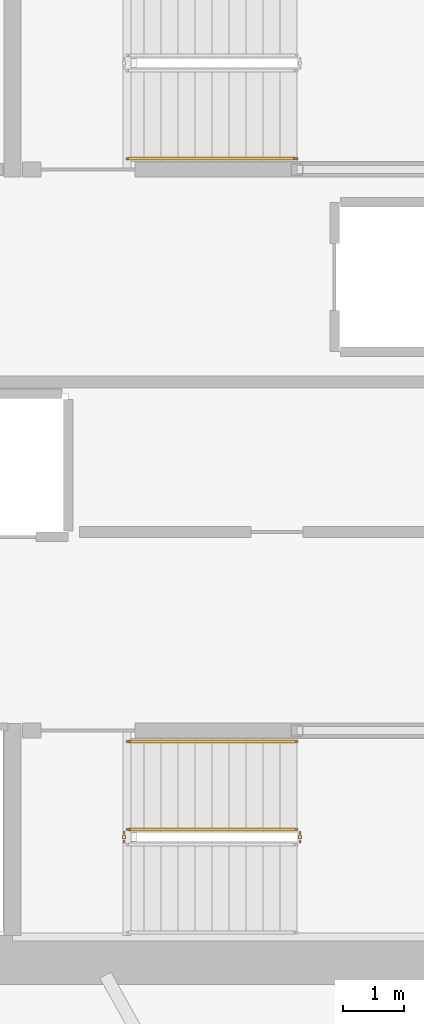
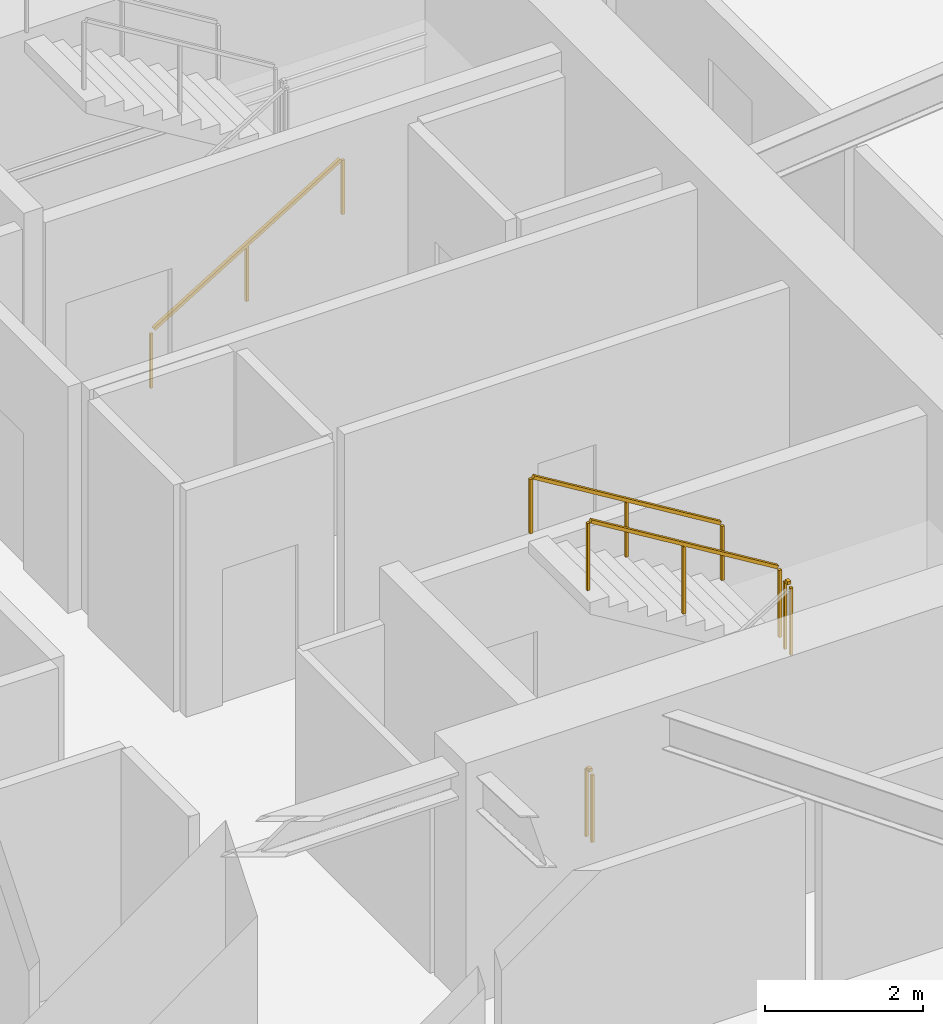
# One storey, part 19 of 22: 5 railings.
"""IFC4 building model written with IfcOpenShell, lengths in metres."""

from ifc_helpers import new_model, si_unit, direction, frame, origin, origin_2d, place, context, subcontext, project, spatial, rectangle, extrude, material, type_object, element, save


model = new_model("IFC4")

# Units and contexts
model_context = context("Model", 3, precision=1e-05, world=origin(), true_north=direction((0.0, 1.0)))
body_context = subcontext(model_context, "Body", "Model", "MODEL_VIEW")
ifc_project = project(units=[si_unit("LENGTHUNIT", "METRE"), si_unit("AREAUNIT", "SQUARE_METRE"), si_unit("VOLUMEUNIT", "CUBIC_METRE"), si_unit("PLANEANGLEUNIT", "RADIAN"), si_unit("MASSUNIT", "GRAM", prefix="KILO")], contexts=[model_context])

# Site, building, storey
site_placement = place(None, origin())
site = spatial("IfcSite", under=ifc_project, at=site_placement, CompositionType="ELEMENT")
building_placement = place(site_placement, origin())
building = spatial("IfcBuilding", under=site, at=building_placement, Name="Kazma Halo Residences", CompositionType="ELEMENT")
storey_placement = place(building_placement, frame((0.0, 0.0, 93.89990234375)))
storey = spatial("IfcBuildingStorey", under=building, at=storey_placement, Name="L23", CompositionType="ELEMENT", Elevation=93.89990234375)

# Railings
ifc_material_1 = material(Name="Painted Steel S355", Category="steel")
railing_type_1 = type_object("IfcRailingType", Name="RLG-STAIR-GRD-1100", PredefinedType="GUARDRAIL", material=ifc_material_1)
railing_1_placement = place(storey_placement, frame((56.050048828125, 35.550048828125, 1.875)))
element("IfcRailing", 1, at=railing_1_placement, inside=storey, type_object=railing_type_1, Name="L23 ST-03 stair guard 2", PredefinedType="GUARDRAIL", context=body_context, shape_type="SweptSolid", body=[
    extrude(rectangle(XDim=0.050048828125, YDim=0.050048828125, at=origin_2d()), frame((0.0, 0.04248046875, 1.0751953125), z_axis=(0.0, 1.0, 0.0), x_axis=(-1.0, 0.0, 0.0)), (0.0, 0.0, 1.0), 0.06494140625),
    extrude(rectangle(XDim=0.0400390625, YDim=0.0400390625, at=origin_2d()), origin(), (0.0, 0.0, 1.0), 1.0380859375),
    extrude(rectangle(XDim=0.0400390625, YDim=0.0400390625, at=origin_2d()), frame((0.0, 0.14990234375, 0.0)), (0.0, 0.0, 1.0), 1.0380859375),
])
railing_2_placement = place(storey_placement, frame((56.0, 35.75, 2.045654296875)))
element("IfcRailing", 2, at=railing_2_placement, inside=storey, type_object=railing_type_1, Name="L23 ST-03 stair guard 3", PredefinedType="GUARDRAIL", context=body_context, shape_type="SweptSolid", body=[
    extrude(rectangle(XDim=0.050048828125, YDim=0.050048828125, at=origin_2d()), frame((-0.036376953125, 0.0, 1.09716796875), z_axis=(-0.854202870247, 0.0, 0.519939858505), x_axis=(0.0, -1.0, 0.0)), (0.0, 0.0, 1.0), 3.19287109375),
    extrude(rectangle(XDim=0.0400390625, YDim=0.0400390625, at=origin_2d()), origin(), (0.0, 0.0, 1.0), 1.0380859375),
    extrude(rectangle(XDim=0.0400390625, YDim=0.0400390625, at=origin_2d()), frame((-1.39990234375, 0.0, 0.85205078125)), (0.0, 0.0, 1.0), 1.0380859375),
    extrude(rectangle(XDim=0.0400390625, YDim=0.0400390625, at=origin_2d()), frame((-2.800048828125, 0.0, 1.704345703125)), (0.0, 0.0, 1.0), 1.0380859375),
])
railing_3_placement = place(storey_placement, frame((53.14990234375, 35.550048828125, 0.0)))
element("IfcRailing", 3, at=railing_3_placement, inside=storey, type_object=railing_type_1, Name="L23 ST-03 stair guard 4", PredefinedType="GUARDRAIL", context=body_context, shape_type="SweptSolid", body=[
    extrude(rectangle(XDim=0.050048828125, YDim=0.050048828125, at=origin_2d()), frame((0.0, 0.04248046875, 1.0751953125), z_axis=(0.0, 1.0, 0.0), x_axis=(-1.0, 0.0, 0.0)), (0.0, 0.0, 1.0), 0.06494140625),
    extrude(rectangle(XDim=0.0400390625, YDim=0.0400390625, at=origin_2d()), origin(), (0.0, 0.0, 1.0), 1.0380859375),
    extrude(rectangle(XDim=0.0400390625, YDim=0.0400390625, at=origin_2d()), frame((0.0, 0.14990234375, 0.0)), (0.0, 0.0, 1.0), 1.0380859375),
])
ifc_material_2 = material(Name="Brushed Stainless Steel", Category="steel")
railing_type_2 = type_object("IfcRailingType", Name="RLG-STAIR-HND-900", PredefinedType="HANDRAIL", material=ifc_material_2)
railing_4_placement = place(storey_placement, frame((53.199951171875, 46.800048828125, 0.170654296875)))
element("IfcRailing", 4, at=railing_4_placement, inside=storey, type_object=railing_type_2, Name="L23 ST-02 stair handrail 1", PredefinedType="HANDRAIL", context=body_context, shape_type="SweptSolid", body=[
    extrude(rectangle(XDim=0.050048828125, YDim=0.050048828125, at=origin_2d()), frame((0.036376953125, 0.0, 0.89697265625), z_axis=(0.854202870247, 0.0, 0.519939858505), x_axis=(0.0, 1.0, 0.0)), (0.0, 0.0, 1.0), 3.19287109375),
    extrude(rectangle(XDim=0.0400390625, YDim=0.0400390625, at=origin_2d()), origin(), (0.0, 0.0, 1.0), 0.837890625),
    extrude(rectangle(XDim=0.0400390625, YDim=0.0400390625, at=origin_2d()), frame((1.39990234375, 0.0, 0.85205078125)), (0.0, 0.0, 1.0), 0.837890625),
    extrude(rectangle(XDim=0.0400390625, YDim=0.0400390625, at=origin_2d()), frame((2.800048828125, 0.0, 1.704345703125)), (0.0, 0.0, 1.0), 0.837890625),
])
railing_5_placement = place(storey_placement, frame((56.0, 37.199951171875, 2.045654296875)))
element("IfcRailing", 5, at=railing_5_placement, inside=storey, type_object=railing_type_2, Name="L23 ST-03 stair handrail 2", PredefinedType="HANDRAIL", context=body_context, shape_type="SweptSolid", body=[
    extrude(rectangle(XDim=0.050048828125, YDim=0.050048828125, at=origin_2d()), frame((-0.036376953125, 0.0, 0.89697265625), z_axis=(-0.854202870247, 0.0, 0.519939858505), x_axis=(0.0, -1.0, 0.0)), (0.0, 0.0, 1.0), 3.19287109375),
    extrude(rectangle(XDim=0.0400390625, YDim=0.0400390625, at=origin_2d()), origin(), (0.0, 0.0, 1.0), 0.837890625),
    extrude(rectangle(XDim=0.0400390625, YDim=0.0400390625, at=origin_2d()), frame((-1.39990234375, 0.0, 0.85205078125)), (0.0, 0.0, 1.0), 0.837890625),
    extrude(rectangle(XDim=0.0400390625, YDim=0.0400390625, at=origin_2d()), frame((-2.800048828125, 0.0, 1.704345703125)), (0.0, 0.0, 1.0), 0.837890625),
])

save(model, "model.ifc")
